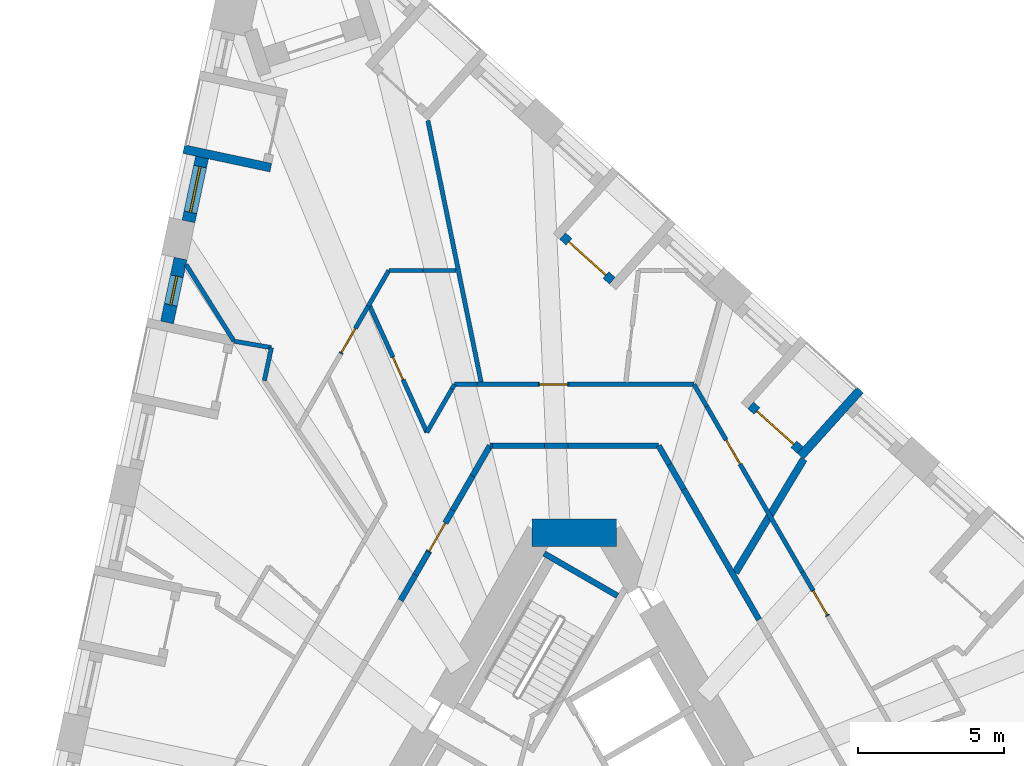
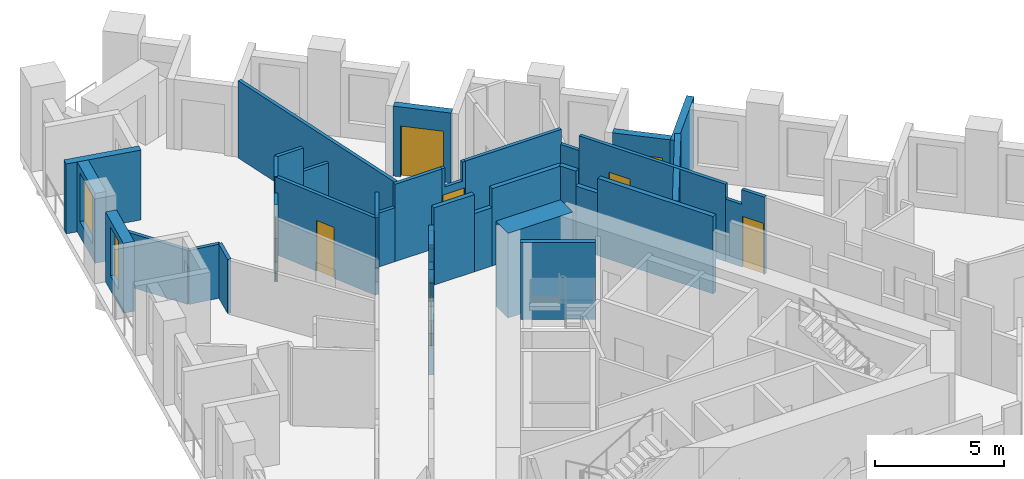
# One storey, part 8 of 13: 39 walls, 8 doors, 2 windows, 10 openings.
"""IFC4 building model written with IfcOpenShell, lengths in metres."""

from ifc_helpers import new_model, si_unit, direction, frame, frame_2d, origin, place, context, subcontext, project, spatial, polyline, rectangle, outline, extrude, material, layer, layer_set, type_object, element, fill, save


model = new_model("IFC4")

# Units and contexts
model_context = context("Model", 3, precision=1e-05, world=origin(), true_north=direction((0.0, 1.0)))
body_context = subcontext(model_context, "Body", "Model", "MODEL_VIEW")
ifc_project = project(units=[si_unit("LENGTHUNIT", "METRE"), si_unit("AREAUNIT", "SQUARE_METRE"), si_unit("VOLUMEUNIT", "CUBIC_METRE"), si_unit("PLANEANGLEUNIT", "RADIAN"), si_unit("MASSUNIT", "GRAM", prefix="KILO")], contexts=[model_context])

# Site, building, storey
site_placement = place(None, origin())
site = spatial("IfcSite", under=ifc_project, at=site_placement, CompositionType="ELEMENT")
building_placement = place(site_placement, origin())
building = spatial("IfcBuilding", under=site, at=building_placement, Name="Tramontana Tower", CompositionType="ELEMENT")
storey_placement = place(building_placement, frame((0.0, 0.0, 108.39990234375)))
storey = spatial("IfcBuildingStorey", under=building, at=storey_placement, Name="L24", CompositionType="ELEMENT", Elevation=108.39990234375)

# Walls
ifc_material_1 = material(Name="Concrete 70 MPa", Category="concrete")
ifc_layer_1 = layer(ifc_material_1, 0.949951171875)
ifc_layer_set_1 = layer_set([ifc_layer_1], Name="Core wall 950 70 MPa")
wall_type_1 = type_object("IfcWallType", Name="Core wall 950 70 MPa", PredefinedType="SHEAR", material=ifc_layer_set_1)
wall_1_placement = place(storey_placement, frame((1.443359375, 10.52490234375, 0.0), z_axis=(0.0, 0.0, 1.0), x_axis=(-1.0, 0.0, 0.0)))
element("IfcWall", 1, at=wall_1_placement, inside=storey, type_object=wall_type_1, Name="Core wall C0 L24", PredefinedType="SHEAR", context=body_context, shape_type="SweptSolid", body=[
    extrude(rectangle(XDim=2.88671875, YDim=0.949951171875, at=frame_2d((1.443359375, 0.0))), origin(), (0.0, 0.0, 1.0), 4.0),
])
ifc_material_2 = material(Name="Blockwork", Category="masonry")
ifc_layer_2 = layer(ifc_material_2, 0.199951171875)
ifc_layer_set_2 = layer_set([ifc_layer_2], Name="ENTRY WALL 200")
wall_type_2 = type_object("IfcWallType", Name="ENTRY WALL 200", PredefinedType="SOLIDWALL", material=ifc_layer_set_2)
wall_2_placement = place(storey_placement, frame((2.88671875, 13.5, 0.0), z_axis=(0.0, 0.0, 1.0), x_axis=(0.499987686533, -0.866032512851, 0.0)))
element("IfcWall", 2, at=wall_2_placement, inside=storey, type_object=wall_type_2, Name="Wall v21-ew0-0", PredefinedType="SOLIDWALL", context=body_context, shape_type="SweptSolid", body=[
    extrude(rectangle(XDim=0.74365234375, YDim=0.199951171875, at=frame_2d((0.371826171875, 0.0))), origin(), (0.0, 0.0, 1.0), 3.650146484375),
])
wall_3_placement = place(storey_placement, frame((3.258544921875, 12.85595703125, 0.0), z_axis=(0.0, 0.0, 1.0), x_axis=(0.500061185694, -0.865990075325, 0.0)))
element("IfcWall", 3, at=wall_3_placement, inside=storey, type_object=wall_type_2, Name="Wall v21-ew0-1", PredefinedType="SOLIDWALL", context=body_context, shape_type="SweptSolid", body=[
    extrude(rectangle(XDim=0.9775390625, YDim=0.199951171875, at=frame_2d((0.48876953125, 0.0))), origin(), (0.0, 0.0, 1.0), 2.9501953125),
])
wall_4_placement = place(storey_placement, frame((3.747314453125, 12.009521484375, 0.0), z_axis=(0.0, 0.0, 1.0), x_axis=(0.500001317485, -0.866024643133, 0.0)))
element("IfcWall", 4, at=wall_4_placement, inside=storey, type_object=wall_type_2, Name="Wall v21-ew0-2", PredefinedType="SOLIDWALL", context=body_context, shape_type="SweptSolid", body=[
    extrude(rectangle(XDim=5.1533203125, YDim=0.199951171875, at=frame_2d((2.57666015625, 0.0))), origin(), (0.0, 0.0, 1.0), 3.650146484375),
])
wall_5_placement = place(storey_placement, frame((-5.944091796875, 8.20458984375, 0.0), z_axis=(0.0, 0.0, 1.0), x_axis=(0.500051323872, 0.865995769906, 0.0)))
element("IfcWall", 5, at=wall_5_placement, inside=storey, type_object=wall_type_2, Name="Wall v21-ew4-7", PredefinedType="SOLIDWALL", context=body_context, shape_type="SweptSolid", body=[
    extrude(rectangle(XDim=1.0068359375, YDim=0.199951171875, at=frame_2d((0.50341796875, 0.0))), origin(), (0.0, 0.0, 1.0), 2.550048828125),
])
wall_6_placement = place(storey_placement, frame((-5.440673828125, 9.076416015625, 0.0), z_axis=(0.0, 0.0, 1.0), x_axis=(0.499902469156, 0.866081705922, 0.0)))
element("IfcWall", 6, at=wall_6_placement, inside=storey, type_object=wall_type_2, Name="Wall v21-ew4-8", PredefinedType="SOLIDWALL", context=body_context, shape_type="SweptSolid", body=[
    extrude(rectangle(XDim=0.900146484375, YDim=0.199951171875, at=frame_2d((0.4501953125, 0.0))), origin(), (0.0, 0.0, 1.0), 3.650146484375),
])

# Wall, opening, door
wall_7_placement = place(storey_placement, frame((-4.99072265625, 9.85595703125, 0.0), z_axis=(0.0, 0.0, 1.0), x_axis=(0.500088396166, 0.865974362219, 0.0)))
wall_7 = element("IfcWall", 7, at=wall_7_placement, inside=storey, type_object=wall_type_2, Name="Wall v21-ew4-9", PredefinedType="SOLIDWALL", context=body_context, shape_type="SweptSolid", body=[
    extrude(outline(polyline([(0.0, 0.0), (1.655517578125, 0.0), (1.655517578125, 2.550048828125), (0.519287109375, 2.550048828125), (0.519287109375, 3.650146484375), (0.0, 3.650146484375), (0.0, 0.0)])), frame((0.0, 0.10009765625, 0.0), z_axis=(0.0, -1.0, 0.0), x_axis=(1.0, 0.0, 0.0)), (0.0, 0.0, 1.0), 0.199951171875),
])
opening_1_placement = place(wall_7_placement, frame((0.050048828125, 0.0, 0.0)))
opening_1 = element("IfcOpeningElement", 8, at=opening_1_placement, cuts=wall_7, Name="Opening B2B-26", PredefinedType="OPENING", context=body_context, shape_type="SweptSolid", body=[
    extrude(rectangle(XDim=1.10009765625, YDim=2.39990234375, at=frame_2d((0.550048828125, 1.199951171875))), frame((0.0, 0.10986328125, 0.0), z_axis=(0.0, -1.0, 0.0), x_axis=(1.0, 0.0, 0.0)), (0.0, 0.0, 1.0), 0.219970703125),
])
ifc_material_3 = material(Name="Painted timber", Category="wood")
door_type_1 = type_object("IfcDoorType", Name="DOOR ENTRY 1100", OperationType="SINGLE_SWING_LEFT", PredefinedType="DOOR", material=ifc_material_3)
door_1_placement = place(opening_1_placement, origin())
door_1 = element("IfcDoor", 9, at=door_1_placement, inside=storey, type_object=door_type_1, Name="Door B2B-26", OperationType="SINGLE_SWING_RIGHT", OverallHeight=2.39990234375, OverallWidth=1.10009765625, PredefinedType="DOOR", context=body_context, shape_type="SweptSolid", body=[
    extrude(rectangle(XDim=1.10009765625, YDim=2.39990234375, at=frame_2d((0.550048828125, 1.199951171875))), frame((0.0, 0.02490234375, 0.0), z_axis=(0.0, -1.0, 0.0), x_axis=(1.0, 0.0, 0.0)), (0.0, 0.0, 1.0), 0.050048828125),
])
fill(opening_1, door_1)

# Walls
wall_8_placement = place(storey_placement, frame((-4.162841796875, 11.28955078125, 0.0), z_axis=(0.0, 0.0, 1.0), x_axis=(0.499903734186, 0.866080975745, 0.0)))
element("IfcWall", 10, at=wall_8_placement, inside=storey, type_object=wall_type_2, Name="Wall v21-ew4-10", PredefinedType="SOLIDWALL", context=body_context, shape_type="SweptSolid", body=[
    extrude(rectangle(XDim=1.360107421875, YDim=0.199951171875, at=frame_2d((0.68017578125, 0.0))), origin(), (0.0, 0.0, 1.0), 3.650146484375),
])
wall_9_placement = place(storey_placement, frame((-3.48291015625, 12.467529296875, 0.0), z_axis=(0.0, 0.0, 1.0), x_axis=(0.500059236744, 0.865991200733, 0.0)))
element("IfcWall", 11, at=wall_9_placement, inside=storey, type_object=wall_type_2, Name="Wall v21-ew4-11", PredefinedType="SOLIDWALL", context=body_context, shape_type="SweptSolid", body=[
    extrude(rectangle(XDim=1.192138671875, YDim=0.199951171875, at=frame_2d((0.59619140625, 0.0))), origin(), (0.0, 0.0, 1.0), 2.550048828125),
])
wall_10_placement = place(storey_placement, frame((-2.88671875, 13.5, 0.0), z_axis=(0.0, 0.0, 1.0), x_axis=(1.0, 0.0, 0.0)))
element("IfcWall", 12, at=wall_10_placement, inside=storey, type_object=wall_type_2, Name="Wall v21-ew5-0", PredefinedType="SOLIDWALL", context=body_context, shape_type="SweptSolid", body=[
    extrude(rectangle(XDim=0.079833984375, YDim=0.199951171875, at=frame_2d((0.0400390625, 0.0))), origin(), (0.0, 0.0, 1.0), 2.550048828125),
])
wall_11_placement = place(storey_placement, frame((-2.806884765625, 13.5, 0.0), z_axis=(0.0, 0.0, 1.0), x_axis=(1.0, 0.0, 0.0)))
element("IfcWall", 13, at=wall_11_placement, inside=storey, type_object=wall_type_2, Name="Wall v21-ew5-1", PredefinedType="SOLIDWALL", context=body_context, shape_type="SweptSolid", body=[
    extrude(rectangle(XDim=1.7880859375, YDim=0.199951171875, at=frame_2d((0.89404296875, 0.0))), origin(), (0.0, 0.0, 1.0), 3.650146484375),
])
wall_12_placement = place(storey_placement, frame((-1.018798828125, 13.5, 0.0), z_axis=(0.0, 0.0, 1.0), x_axis=(1.0, 0.0, 0.0)))
element("IfcWall", 14, at=wall_12_placement, inside=storey, type_object=wall_type_2, Name="Wall v21-ew5-2", PredefinedType="SOLIDWALL", context=body_context, shape_type="SweptSolid", body=[
    extrude(rectangle(XDim=0.80078125, YDim=0.199951171875, at=frame_2d((0.400390625, 0.0))), origin(), (0.0, 0.0, 1.0), 2.75),
])
wall_13_placement = place(storey_placement, frame((-0.218017578125, 13.5, 0.0), z_axis=(0.0, 0.0, 1.0), x_axis=(1.0, 0.0, 0.0)))
element("IfcWall", 15, at=wall_13_placement, inside=storey, type_object=wall_type_2, Name="Wall v21-ew5-3", PredefinedType="SOLIDWALL", context=body_context, shape_type="SweptSolid", body=[
    extrude(rectangle(XDim=3.104736328125, YDim=0.199951171875, at=frame_2d((1.55224609375, 0.0))), origin(), (0.0, 0.0, 1.0), 3.650146484375),
])

# Wall, opening, window
ifc_material_4 = material(Name="Precast concrete 60 MPa", Category="concrete")
ifc_layer_3 = layer(ifc_material_4, 0.449951171875)
ifc_layer_set_3 = layer_set([ifc_layer_3], Name="Precast concrete 60 MPa, 450 mm")
wall_type_3 = type_object("IfcWallType", Name="EW1 Stone-faced precast wall 450", PredefinedType="SOLIDWALL", material=ifc_layer_set_3)
wall_14_placement = place(storey_placement, frame((-12.7451171875, 23.36767578125, 0.0), z_axis=(0.0, 0.0, 1.0), x_axis=(-0.207941001029, -0.978141370197, 0.0)))
wall_14 = element("IfcWall", 16, at=wall_14_placement, inside=storey, type_object=wall_type_3, Name="External wall L24 face 0 bay 1", PredefinedType="SOLIDWALL", context=body_context, shape_type="SweptSolid", body=[
    extrude(rectangle(XDim=2.236572265625, YDim=0.449951171875, at=frame_2d((1.1181640625, 0.0))), origin(), (0.0, 0.0, 1.0), 3.300048828125),
])
opening_2_placement = place(wall_14_placement, frame((0.318359375, 0.0, 0.699951171875)))
opening_2 = element("IfcOpeningElement", 17, at=opening_2_placement, cuts=wall_14, Name="Opening M1", PredefinedType="OPENING", context=body_context, shape_type="SweptSolid", body=[
    extrude(rectangle(XDim=1.60009765625, YDim=2.300048828125, at=frame_2d((0.800048828125, 1.14990234375))), frame((0.0, 0.23486328125, 0.0), z_axis=(0.0, -1.0, 0.0), x_axis=(1.0, 0.0, 0.0)), (0.0, 0.0, 1.0), 0.469970703125),
])
ifc_material_5 = material(Name="Aluminum frame, double glazing unit", Category="aluminium")
window_type_1 = type_object("IfcWindowType", Name="M1 Window 1.6 x 2.3", PartitioningType="SINGLE_PANEL", PredefinedType="WINDOW", material=ifc_material_5)
window_1_placement = place(opening_2_placement, origin())
window_1 = element("IfcWindow", 18, at=window_1_placement, inside=storey, type_object=window_type_1, Name="Window M1 L24 face 0 module 3", OverallHeight=2.300048828125, OverallWidth=1.60009765625, PartitioningType="SINGLE_PANEL", PredefinedType="WINDOW", context=body_context, shape_type="SweptSolid", body=[
    extrude(rectangle(XDim=1.60009765625, YDim=2.300048828125, at=frame_2d((0.800048828125, 1.14990234375))), frame((0.0, 0.030029296875, 0.0), z_axis=(0.0, -1.0, 0.0), x_axis=(1.0, 0.0, 0.0)), (0.0, 0.0, 1.0), 0.06005859375),
])
fill(opening_2, window_1)

wall_15_placement = place(storey_placement, frame((-13.48046875, 19.908203125, 0.0), z_axis=(0.0, 0.0, 1.0), x_axis=(-0.207941001029, -0.978141370197, 0.0)))
wall_15 = element("IfcWall", 19, at=wall_15_placement, inside=storey, type_object=wall_type_3, Name="External wall L24 face 0 bay 2", PredefinedType="SOLIDWALL", context=body_context, shape_type="SweptSolid", body=[
    extrude(rectangle(XDim=2.236572265625, YDim=0.449951171875, at=frame_2d((1.1181640625, 0.0))), origin(), (0.0, 0.0, 1.0), 3.300048828125),
])
opening_3_placement = place(wall_15_placement, frame((0.618408203125, 0.0, 0.699951171875)))
opening_3 = element("IfcOpeningElement", 20, at=opening_3_placement, cuts=wall_15, Name="Opening N1", PredefinedType="OPENING", context=body_context, shape_type="SweptSolid", body=[
    extrude(rectangle(XDim=1.0, YDim=2.300048828125, at=frame_2d((0.5, 1.14990234375))), frame((0.0, 0.23486328125, 0.0), z_axis=(0.0, -1.0, 0.0), x_axis=(1.0, 0.0, 0.0)), (0.0, 0.0, 1.0), 0.469970703125),
])
ifc_material_6 = material(Name="Aluminum frame, double glazing unit", Category="aluminium")
window_type_2 = type_object("IfcWindowType", Name="N1 Window 1 x 2.3", PartitioningType="SINGLE_PANEL", PredefinedType="WINDOW", material=ifc_material_6)
window_2_placement = place(opening_3_placement, origin())
window_2 = element("IfcWindow", 21, at=window_2_placement, inside=storey, type_object=window_type_2, Name="Window N1 L24 face 0 module 4", OverallHeight=2.300048828125, OverallWidth=1.0, PartitioningType="SINGLE_PANEL", PredefinedType="WINDOW", context=body_context, shape_type="SweptSolid", body=[
    extrude(rectangle(XDim=1.0, YDim=2.300048828125, at=frame_2d((0.5, 1.14990234375))), frame((0.0, 0.030029296875, 0.0), z_axis=(0.0, -1.0, 0.0), x_axis=(1.0, 0.0, 0.0)), (0.0, 0.0, 1.0), 0.06005859375),
])
fill(opening_3, window_2)

# Wall
ifc_material_7 = material(Name="Precast concrete 60 MPa", Category="concrete")
ifc_layer_4 = layer(ifc_material_7, 0.300048828125)
ifc_layer_set_4 = layer_set([ifc_layer_4], Name="LW1 Stone-faced loggia wall 300")
wall_type_4 = type_object("IfcWallType", Name="LW1 Stone-faced loggia wall 300", PredefinedType="SOLIDWALL", material=ifc_layer_set_4)
wall_16_placement = place(storey_placement, frame((-13.3740234375, 23.65478515625, 0.0), z_axis=(0.0, 0.0, 1.0), x_axis=(0.978151322619, -0.207894179953, 0.0)))
element("IfcWall", 22, at=wall_16_placement, inside=storey, type_object=wall_type_4, Name="Loggia return L24 G2S0.1b", PredefinedType="SOLIDWALL", context=body_context, shape_type="SweptSolid", body=[
    extrude(rectangle(XDim=3.0498046875, YDim=0.300048828125, at=frame_2d((1.52490234375, 0.0))), origin(), (0.0, 0.0, 1.0), 3.300048828125),
])

# Wall, opening, door
wall_17_placement = place(storey_placement, frame((7.735595703125, 13.353759765625, 0.0), z_axis=(0.0, 0.0, 1.0), x_axis=(-0.743081759278, 0.669200641832, 0.0)))
wall_17 = element("IfcWall", 23, at=wall_17_placement, inside=storey, type_object=wall_type_4, Name="Loggia wall L24 G2S2.10", PredefinedType="SOLIDWALL", context=body_context, shape_type="SweptSolid", body=[
    extrude(rectangle(XDim=2.28662109375, YDim=0.300048828125, at=frame_2d((1.143310546875, 0.0))), origin(), (0.0, 0.0, 1.0), 3.300048828125),
])
opening_4_placement = place(wall_17_placement, frame((0.29345703125, 0.0, 0.0)))
opening_4 = element("IfcOpeningElement", 24, at=opening_4_placement, cuts=wall_17, Name="Opening BD-2S2-10", PredefinedType="OPENING", context=body_context, shape_type="SweptSolid", body=[
    extrude(rectangle(XDim=1.699951171875, YDim=2.39990234375, at=frame_2d((0.85009765625, 1.199951171875))), frame((0.0, 0.159912109375, 0.0), z_axis=(0.0, -1.0, 0.0), x_axis=(1.0, 0.0, 0.0)), (0.0, 0.0, 1.0), 0.320068359375),
])
ifc_material_8 = material(Name="Aluminum frame, double glazing unit", Category="aluminium")
door_type_2 = type_object("IfcDoorType", Name="BD1 Sliding door 1.7 x 2.4", OperationType="SLIDING_TO_LEFT", PredefinedType="DOOR", material=ifc_material_8)
door_2_placement = place(opening_4_placement, origin())
door_2 = element("IfcDoor", 25, at=door_2_placement, inside=storey, type_object=door_type_2, Name="Loggia door L24 G2S2.10", OperationType="SLIDING_TO_LEFT", OverallHeight=2.39990234375, OverallWidth=1.699951171875, PredefinedType="DOOR", context=body_context, shape_type="SweptSolid", body=[
    extrude(rectangle(XDim=1.699951171875, YDim=2.39990234375, at=frame_2d((0.85009765625, 1.199951171875))), frame((0.0, 0.02490234375, 0.0), z_axis=(0.0, -1.0, 0.0), x_axis=(1.0, 0.0, 0.0)), (0.0, 0.0, 1.0), 0.050048828125),
])
fill(opening_4, door_2)

# Wall
wall_18_placement = place(storey_placement, frame((9.78759765625, 15.40869140625, 0.0), z_axis=(0.0, 0.0, 1.0), x_axis=(-0.669115082961, -0.743158802514, 0.0)))
element("IfcWall", 26, at=wall_18_placement, inside=storey, type_object=wall_type_4, Name="Loggia return L24 G2S2.10a", PredefinedType="SOLIDWALL", context=body_context, shape_type="SweptSolid", body=[
    extrude(rectangle(XDim=3.050048828125, YDim=0.300048828125, at=frame_2d((1.52490234375, 0.0))), origin(), (0.0, 0.0, 1.0), 3.300048828125),
])

# Wall, opening, door
wall_19_placement = place(storey_placement, frame((1.2998046875, 19.148681640625, 0.0), z_axis=(0.0, 0.0, 1.0), x_axis=(-0.743182653308, 0.669088591909, 0.0)))
wall_19 = element("IfcWall", 27, at=wall_19_placement, inside=storey, type_object=wall_type_4, Name="Loggia wall L24 G2S2.13", PredefinedType="SOLIDWALL", context=body_context, shape_type="SweptSolid", body=[
    extrude(rectangle(XDim=2.28662109375, YDim=0.300048828125, at=frame_2d((1.143310546875, 0.0))), origin(), (0.0, 0.0, 1.0), 3.300048828125),
])
opening_5_placement = place(wall_19_placement, frame((0.29345703125, 0.0, 0.0)))
opening_5 = element("IfcOpeningElement", 28, at=opening_5_placement, cuts=wall_19, Name="Opening BD-2S2-13", PredefinedType="OPENING", context=body_context, shape_type="SweptSolid", body=[
    extrude(rectangle(XDim=1.699951171875, YDim=2.39990234375, at=frame_2d((0.85009765625, 1.199951171875))), frame((0.0, 0.159912109375, 0.0), z_axis=(0.0, -1.0, 0.0), x_axis=(1.0, 0.0, 0.0)), (0.0, 0.0, 1.0), 0.320068359375),
])
door_3_placement = place(opening_5_placement, origin())
door_3 = element("IfcDoor", 29, at=door_3_placement, inside=storey, type_object=door_type_2, Name="Loggia door L24 G2S2.13", OperationType="SLIDING_TO_LEFT", OverallHeight=2.39990234375, OverallWidth=1.699951171875, PredefinedType="DOOR", context=body_context, shape_type="SweptSolid", body=[
    extrude(rectangle(XDim=1.699951171875, YDim=2.39990234375, at=frame_2d((0.85009765625, 1.199951171875))), frame((0.0, 0.02490234375, 0.0), z_axis=(0.0, -1.0, 0.0), x_axis=(1.0, 0.0, 0.0)), (0.0, 0.0, 1.0), 0.050048828125),
])
fill(opening_5, door_3)

# Walls
ifc_material_9 = material(Name="Gypsum board partition")
ifc_layer_5 = layer(ifc_material_9, 0.14990234375)
ifc_layer_set_5 = layer_set([ifc_layer_5], Name="PARTITION 150")
wall_type_5 = type_object("IfcWallType", Name="PARTITION 150", PredefinedType="PARTITIONING", material=ifc_layer_set_5)
wall_20_placement = place(storey_placement, frame((-11.653564453125, 17.079833984375, 0.0), z_axis=(0.0, 0.0, 1.0), x_axis=(-0.529991848631, 0.848002736072, 0.0)))
element("IfcWall", 30, at=wall_20_placement, inside=storey, type_object=wall_type_5, Name="Wall v21-pw09-0", PredefinedType="PARTITIONING", context=body_context, shape_type="SweptSolid", body=[
    extrude(rectangle(XDim=3.0947265625, YDim=0.14990234375, at=frame_2d((1.54736328125, 0.0))), origin(), (0.0, 0.0, 1.0), 2.550048828125),
])
wall_21_placement = place(storey_placement, frame((-10.611572265625, 15.728515625, 0.0), z_axis=(0.0, 0.0, 1.0), x_axis=(0.207866350726, 0.97815723697, 0.0)))
element("IfcWall", 31, at=wall_21_placement, inside=storey, type_object=wall_type_5, Name="Wall v21-pw13-0", PredefinedType="PARTITIONING", context=body_context, shape_type="SweptSolid", body=[
    extrude(rectangle(XDim=1.1533203125, YDim=0.14990234375, at=frame_2d((0.57666015625, 0.0))), origin(), (0.0, 0.0, 1.0), 2.550048828125),
])
wall_22_placement = place(storey_placement, frame((-10.373291015625, 16.859130859375, 0.0), z_axis=(0.0, 0.0, 1.0), x_axis=(-0.985464455429, 0.169881744414, 0.0)))
element("IfcWall", 32, at=wall_22_placement, inside=storey, type_object=wall_type_5, Name="Wall v21-pw15-0", PredefinedType="PARTITIONING", context=body_context, shape_type="SweptSolid", body=[
    extrude(rectangle(XDim=1.299072265625, YDim=0.14990234375, at=frame_2d((0.6494140625, 0.0))), origin(), (0.0, 0.0, 1.0), 2.550048828125),
])

# Wall, opening, door
wall_23_placement = place(storey_placement, frame((-7.996337890625, 16.64990234375, 0.0), z_axis=(0.0, 0.0, 1.0), x_axis=(0.499962016178, 0.866047332643, 0.0)))
wall_23 = element("IfcWall", 33, at=wall_23_placement, inside=storey, type_object=wall_type_5, Name="Wall v21-pw18-2", PredefinedType="PARTITIONING", context=body_context, shape_type="SweptSolid", body=[
    extrude(outline(polyline([(0.0, 0.0), (1.882080078125, 0.0), (1.8818359375, 2.550048828125), (0.777099609375, 2.550048828125), (0.777099609375, 3.650146484375), (0.0, 3.650146484375), (0.0, 0.0)])), frame((0.0, 0.074951171875, 0.0), z_axis=(0.0, -1.0, 0.0), x_axis=(1.0, 0.0, 0.0)), (0.0, 0.0, 1.0), 0.14990234375),
])
opening_6_placement = place(wall_23_placement, frame((0.050048828125, 0.0, 0.0)))
opening_6 = element("IfcOpeningElement", 34, at=opening_6_placement, cuts=wall_23, Name="Opening B2B-03", PredefinedType="OPENING", context=body_context, shape_type="SweptSolid", body=[
    extrude(rectangle(XDim=0.949951171875, YDim=2.39990234375, at=frame_2d((0.47509765625, 1.199951171875))), frame((0.0, 0.0849609375, 0.0), z_axis=(0.0, -1.0, 0.0), x_axis=(1.0, 0.0, 0.0)), (0.0, 0.0, 1.0), 0.169921875),
])
ifc_material_10 = material(Name="Painted timber", Category="wood")
door_type_3 = type_object("IfcDoorType", Name="DOOR ROOM 950", OperationType="SINGLE_SWING_LEFT", PredefinedType="DOOR", material=ifc_material_10)
door_4_placement = place(opening_6_placement, origin())
door_4 = element("IfcDoor", 35, at=door_4_placement, inside=storey, type_object=door_type_3, Name="Door B2B-03", OperationType="SINGLE_SWING_LEFT", OverallHeight=2.39990234375, OverallWidth=0.949951171875, PredefinedType="DOOR", context=body_context, shape_type="SweptSolid", body=[
    extrude(rectangle(XDim=0.949951171875, YDim=2.39990234375, at=frame_2d((0.47509765625, 1.199951171875))), frame((0.0, 0.02490234375, 0.0), z_axis=(0.0, -1.0, 0.0), x_axis=(1.0, 0.0, 0.0)), (0.0, 0.0, 1.0), 0.050048828125),
])
fill(opening_6, door_4)

# Wall
wall_24_placement = place(storey_placement, frame((-7.055419921875, 18.27978515625, 0.0), z_axis=(0.0, 0.0, 1.0), x_axis=(0.500052415518, 0.865995139556, 0.0)))
element("IfcWall", 36, at=wall_24_placement, inside=storey, type_object=wall_type_5, Name="Wall v21-pw18-3", PredefinedType="PARTITIONING", context=body_context, shape_type="SweptSolid", body=[
    extrude(rectangle(XDim=1.408935546875, YDim=0.14990234375, at=frame_2d((0.70458984375, 0.0))), origin(), (0.0, 0.0, 1.0), 3.650146484375),
])

# Wall, opening, door
wall_25_placement = place(storey_placement, frame((-7.02392578125, 18.328125, 0.0), z_axis=(0.0, 0.0, 1.0), x_axis=(0.41197154639, -0.911196710357, 0.0)))
wall_25 = element("IfcWall", 37, at=wall_25_placement, inside=storey, type_object=wall_type_5, Name="Wall v21-pw24", PredefinedType="PARTITIONING", context=body_context, shape_type="SweptSolid", body=[
    extrude(rectangle(XDim=4.79296875, YDim=0.14990234375, at=frame_2d((2.396484375, 0.0))), origin(), (0.0, 0.0, 1.0), 3.650146484375),
])
opening_7_placement = place(wall_25_placement, frame((1.9716796875, 0.0, 0.0)))
opening_7 = element("IfcOpeningElement", 38, at=opening_7_placement, cuts=wall_25, Name="Opening B2B-02", PredefinedType="OPENING", context=body_context, shape_type="SweptSolid", body=[
    extrude(rectangle(XDim=0.85009765625, YDim=2.39990234375, at=frame_2d((0.425048828125, 1.199951171875))), frame((0.0, 0.0849609375, 0.0), z_axis=(0.0, -1.0, 0.0), x_axis=(1.0, 0.0, 0.0)), (0.0, 0.0, 1.0), 0.169921875),
])
ifc_material_11 = material(Name="Painted timber", Category="wood")
door_type_4 = type_object("IfcDoorType", Name="DOOR BATH 850", OperationType="SINGLE_SWING_LEFT", PredefinedType="DOOR", material=ifc_material_11)
door_5_placement = place(opening_7_placement, origin())
door_5 = element("IfcDoor", 39, at=door_5_placement, inside=storey, type_object=door_type_4, Name="Door B2B-02", OperationType="SINGLE_SWING_RIGHT", OverallHeight=2.39990234375, OverallWidth=0.85009765625, PredefinedType="DOOR", context=body_context, shape_type="SweptSolid", body=[
    extrude(rectangle(XDim=0.85009765625, YDim=2.39990234375, at=frame_2d((0.425048828125, 1.199951171875))), frame((0.0, 0.02490234375, 0.0), z_axis=(0.0, -1.0, 0.0), x_axis=(1.0, 0.0, 0.0)), (0.0, 0.0, 1.0), 0.050048828125),
])
fill(opening_7, door_5)

# Walls
wall_26_placement = place(storey_placement, frame((-6.350830078125, 19.5, 0.0), z_axis=(0.0, 0.0, 1.0), x_axis=(1.0, 0.0, 0.0)))
element("IfcWall", 40, at=wall_26_placement, inside=storey, type_object=wall_type_5, Name="Wall v21-pw27-0", PredefinedType="PARTITIONING", context=body_context, shape_type="SweptSolid", body=[
    extrude(rectangle(XDim=1.177490234375, YDim=0.14990234375, at=frame_2d((0.5888671875, 0.0))), origin(), (0.0, 0.0, 1.0), 3.650146484375),
])
wall_27_placement = place(storey_placement, frame((-5.17333984375, 19.5, 0.0), z_axis=(0.0, 0.0, 1.0), x_axis=(1.0, 0.0, 0.0)))
element("IfcWall", 41, at=wall_27_placement, inside=storey, type_object=wall_type_5, Name="Wall v21-pw27-1", PredefinedType="PARTITIONING", context=body_context, shape_type="SweptSolid", body=[
    extrude(rectangle(XDim=1.127685546875, YDim=0.14990234375, at=frame_2d((0.56396484375, 0.0))), origin(), (0.0, 0.0, 1.0), 2.550048828125),
])
wall_28_placement = place(storey_placement, frame((-5.0458984375, 13.96044921875, 0.0), z_axis=(0.0, 0.0, 1.0), x_axis=(0.500068347527, 0.865985939725, 0.0)))
element("IfcWall", 42, at=wall_28_placement, inside=storey, type_object=wall_type_5, Name="Wall v21-pw29-0", PredefinedType="PARTITIONING", context=body_context, shape_type="SweptSolid", body=[
    extrude(rectangle(XDim=1.710693359375, YDim=0.14990234375, at=frame_2d((0.85546875, 0.0))), origin(), (0.0, 0.0, 1.0), 3.650146484375),
])
wall_29_placement = place(storey_placement, frame((-4.1904296875, 15.44189453125, 0.0), z_axis=(0.0, 0.0, 1.0), x_axis=(0.50045593687, 0.865762008436, 0.0)))
element("IfcWall", 43, at=wall_29_placement, inside=storey, type_object=wall_type_5, Name="Wall v21-pw29-1", PredefinedType="PARTITIONING", context=body_context, shape_type="SweptSolid", body=[
    extrude(rectangle(XDim=0.182373046875, YDim=0.14990234375, at=frame_2d((0.09130859375, 0.0))), origin(), (0.0, 0.0, 1.0), 2.550048828125),
])
wall_30_placement = place(storey_placement, frame((-5.013427734375, 24.63134765625, 0.0), z_axis=(0.0, 0.0, 1.0), x_axis=(0.199453921503, -0.979907206422, 0.0)))
element("IfcWall", 44, at=wall_30_placement, inside=storey, type_object=wall_type_5, Name="Wall v21-pw30", PredefinedType="PARTITIONING", context=body_context, shape_type="SweptSolid", body=[
    extrude(rectangle(XDim=9.139892578125, YDim=0.14990234375, at=frame_2d((4.56982421875, 0.0))), origin(), (0.0, 0.0, 1.0), 3.650146484375),
])
wall_31_placement = place(storey_placement, frame((-4.09912109375, 15.60009765625, 0.0), z_axis=(0.0, 0.0, 1.0), x_axis=(1.0, 0.0, 0.0)))
element("IfcWall", 45, at=wall_31_placement, inside=storey, type_object=wall_type_5, Name="Wall v21-pw31-0", PredefinedType="PARTITIONING", context=body_context, shape_type="SweptSolid", body=[
    extrude(rectangle(XDim=0.770751953125, YDim=0.14990234375, at=frame_2d((0.38525390625, 0.0))), origin(), (0.0, 0.0, 1.0), 2.550048828125),
])
wall_32_placement = place(storey_placement, frame((-3.328369140625, 15.60009765625, 0.0), z_axis=(0.0, 0.0, 1.0), x_axis=(1.0, 0.0, 0.0)))
element("IfcWall", 46, at=wall_32_placement, inside=storey, type_object=wall_type_5, Name="Wall v21-pw31-1", PredefinedType="PARTITIONING", context=body_context, shape_type="SweptSolid", body=[
    extrude(rectangle(XDim=2.09423828125, YDim=0.14990234375, at=frame_2d((1.047119140625, 0.0))), origin(), (0.0, 0.0, 1.0), 3.650146484375),
])

# Wall, opening, door
wall_33_placement = place(storey_placement, frame((-1.234130859375, 15.60009765625, 0.0), z_axis=(0.0, 0.0, 1.0), x_axis=(1.0, 0.0, 0.0)))
wall_33 = element("IfcWall", 47, at=wall_33_placement, inside=storey, type_object=wall_type_5, Name="Wall v21-pw31-2", PredefinedType="PARTITIONING", context=body_context, shape_type="SweptSolid", body=[
    extrude(outline(polyline([(0.0, 0.0), (1.050048828125, 0.0), (1.050048828125, 3.650146484375), (0.907470703125, 3.650146484375), (0.907470703125, 2.75), (0.131591796875, 2.75), (0.131591796875, 3.650146484375), (0.0, 3.650146484375), (0.0, 0.0)])), frame((0.0, 0.074951171875, 0.0), z_axis=(0.0, -1.0, 0.0), x_axis=(1.0, 0.0, 0.0)), (0.0, 0.0, 1.0), 0.14990234375),
])
opening_8_placement = place(wall_33_placement, frame((0.050048828125, 0.0, 0.0)))
opening_8 = element("IfcOpeningElement", 48, at=opening_8_placement, cuts=wall_33, Name="Opening B2B-04", PredefinedType="OPENING", context=body_context, shape_type="SweptSolid", body=[
    extrude(rectangle(XDim=0.949951171875, YDim=2.39990234375, at=frame_2d((0.47509765625, 1.199951171875))), frame((0.0, 0.0849609375, 0.0), z_axis=(0.0, -1.0, 0.0), x_axis=(1.0, 0.0, 0.0)), (0.0, 0.0, 1.0), 0.169921875),
])
door_6_placement = place(opening_8_placement, origin())
door_6 = element("IfcDoor", 49, at=door_6_placement, inside=storey, type_object=door_type_3, Name="Door B2B-04", OperationType="SINGLE_SWING_RIGHT", OverallHeight=2.39990234375, OverallWidth=0.949951171875, PredefinedType="DOOR", context=body_context, shape_type="SweptSolid", body=[
    extrude(rectangle(XDim=0.949951171875, YDim=2.39990234375, at=frame_2d((0.47509765625, 1.199951171875))), frame((0.0, 0.02490234375, 0.0), z_axis=(0.0, -1.0, 0.0), x_axis=(1.0, 0.0, 0.0)), (0.0, 0.0, 1.0), 0.050048828125),
])
fill(opening_8, door_6)

# Walls
wall_34_placement = place(storey_placement, frame((-0.18408203125, 15.60009765625, 0.0), z_axis=(0.0, 0.0, 1.0), x_axis=(1.0, 0.0, 0.0)))
element("IfcWall", 50, at=wall_34_placement, inside=storey, type_object=wall_type_5, Name="Wall v21-pw31-3", PredefinedType="PARTITIONING", context=body_context, shape_type="SweptSolid", body=[
    extrude(rectangle(XDim=4.283203125, YDim=0.14990234375, at=frame_2d((2.1416015625, 0.0))), origin(), (0.0, 0.0, 1.0), 3.650146484375),
])
wall_35_placement = place(storey_placement, frame((4.09912109375, 15.599853515625, 0.0), z_axis=(0.0, 0.0, 1.0), x_axis=(0.500216765549, -0.86590021796, 0.0)))
element("IfcWall", 51, at=wall_35_placement, inside=storey, type_object=wall_type_5, Name="Wall v21-pw40-0", PredefinedType="PARTITIONING", context=body_context, shape_type="SweptSolid", body=[
    extrude(rectangle(XDim=0.869140625, YDim=0.14990234375, at=frame_2d((0.4345703125, 0.0))), origin(), (0.0, 0.0, 1.0), 2.9501953125),
])

# Wall, opening, door
wall_36_placement = place(storey_placement, frame((4.533935546875, 14.84716796875, 0.0), z_axis=(0.0, 0.0, 1.0), x_axis=(0.499992467015, -0.866029752912, 0.0)))
wall_36 = element("IfcWall", 52, at=wall_36_placement, inside=storey, type_object=wall_type_5, Name="Wall v21-pw40-1", PredefinedType="PARTITIONING", context=body_context, shape_type="SweptSolid", body=[
    extrude(rectangle(XDim=6.54833984375, YDim=0.14990234375, at=frame_2d((3.274169921875, 0.0))), origin(), (0.0, 0.0, 1.0), 3.650146484375),
])
opening_9_placement = place(wall_36_placement, frame((1.330810546875, 0.0, 0.0)))
opening_9 = element("IfcOpeningElement", 53, at=opening_9_placement, cuts=wall_36, Name="Opening B2B-05", PredefinedType="OPENING", context=body_context, shape_type="SweptSolid", body=[
    extrude(rectangle(XDim=0.949951171875, YDim=2.39990234375, at=frame_2d((0.47509765625, 1.199951171875))), frame((0.0, 0.0849609375, 0.0), z_axis=(0.0, -1.0, 0.0), x_axis=(1.0, 0.0, 0.0)), (0.0, 0.0, 1.0), 0.169921875),
])
door_7_placement = place(opening_9_placement, origin())
door_7 = element("IfcDoor", 54, at=door_7_placement, inside=storey, type_object=door_type_3, Name="Door B2B-05", OperationType="SINGLE_SWING_LEFT", OverallHeight=2.39990234375, OverallWidth=0.949951171875, PredefinedType="DOOR", context=body_context, shape_type="SweptSolid", body=[
    extrude(rectangle(XDim=0.949951171875, YDim=2.39990234375, at=frame_2d((0.47509765625, 1.199951171875))), frame((0.0, 0.02490234375, 0.0), z_axis=(0.0, -1.0, 0.0), x_axis=(1.0, 0.0, 0.0)), (0.0, 0.0, 1.0), 0.050048828125),
])
fill(opening_9, door_7)

wall_37_placement = place(storey_placement, frame((7.80810546875, 9.176025390625, 0.0), z_axis=(0.0, 0.0, 1.0), x_axis=(0.500013671143, -0.866017510603, 0.0)))
wall_37 = element("IfcWall", 55, at=wall_37_placement, inside=storey, type_object=wall_type_5, Name="Wall v21-pw40-2", PredefinedType="PARTITIONING", context=body_context, shape_type="SweptSolid", body=[
    extrude(outline(polyline([(0.0, 0.0), (1.74169921875, 0.0), (1.74169921875, 3.650146484375), (0.709716796875, 3.650146484375), (0.709716796875, 2.9501953125), (0.0, 2.9501953125), (0.0, 0.0)])), frame((0.0, 0.074951171875, 0.0), z_axis=(0.0, -1.0, 0.0), x_axis=(1.0, 0.0, 0.0)), (0.0, 0.0, 1.0), 0.14990234375),
])
opening_10_placement = place(wall_37_placement, frame((0.74169921875, 0.0, 0.0)))
opening_10 = element("IfcOpeningElement", 56, at=opening_10_placement, cuts=wall_37, Name="Opening B2B-23", PredefinedType="OPENING", context=body_context, shape_type="SweptSolid", body=[
    extrude(rectangle(XDim=0.949951171875, YDim=2.39990234375, at=frame_2d((0.47509765625, 1.199951171875))), frame((0.0, 0.0849609375, 0.0), z_axis=(0.0, -1.0, 0.0), x_axis=(1.0, 0.0, 0.0)), (0.0, 0.0, 1.0), 0.169921875),
])
door_8_placement = place(opening_10_placement, origin())
door_8 = element("IfcDoor", 57, at=door_8_placement, inside=storey, type_object=door_type_3, Name="Door B2B-23", OperationType="SINGLE_SWING_LEFT", OverallHeight=2.39990234375, OverallWidth=0.949951171875, PredefinedType="DOOR", context=body_context, shape_type="SweptSolid", body=[
    extrude(rectangle(XDim=0.949951171875, YDim=2.39990234375, at=frame_2d((0.47509765625, 1.199951171875))), frame((0.0, 0.02490234375, 0.0), z_axis=(0.0, -1.0, 0.0), x_axis=(1.0, 0.0, 0.0)), (0.0, 0.0, 1.0), 0.050048828125),
])
fill(opening_10, door_8)

# Walls
ifc_material_12 = material(Name="Blockwork", Category="masonry")
ifc_layer_6 = layer(ifc_material_12, 0.25)
ifc_layer_set_6 = layer_set([ifc_layer_6], Name="PARTY WALL 250")
wall_type_6 = type_object("IfcWallType", Name="PARTY WALL 250", PredefinedType="SOLIDWALL", material=ifc_layer_set_6)
wall_38_placement = place(storey_placement, frame((7.858154296875, 13.04150390625, 0.0), z_axis=(0.0, 0.0, 1.0), x_axis=(-0.516122846291, -0.856514569366, 0.0)))
element("IfcWall", 58, at=wall_38_placement, inside=storey, type_object=wall_type_6, Name="Wall v21-pw42", PredefinedType="SOLIDWALL", context=body_context, shape_type="SweptSolid", body=[
    extrude(rectangle(XDim=4.54296875, YDim=0.25, at=frame_2d((2.271484375, 0.0))), origin(), (0.0, 0.0, 1.0), 3.650146484375),
])
ifc_material_13 = material(Name="Concrete 70 MPa", Category="concrete")
ifc_layer_7 = layer(ifc_material_13, 0.199951171875)
ifc_layer_set_7 = layer_set([ifc_layer_7], Name="Concrete 70 MPa, 200 mm")
wall_type_7 = type_object("IfcWallType", Name="RC STAIR AND SHAFT WALL 200", PredefinedType="SOLIDWALL", material=ifc_layer_set_7)
wall_39_placement = place(storey_placement, frame((1.478515625, 8.36083984375, 0.0), z_axis=(0.0, 0.0, 1.0), x_axis=(-0.866032775405, 0.499987231761, 0.0)))
element("IfcWall", 59, at=wall_39_placement, inside=storey, type_object=wall_type_7, Name="Wall st1-far", PredefinedType="SOLIDWALL", context=body_context, shape_type="SweptSolid", body=[
    extrude(rectangle(XDim=2.89990234375, YDim=0.199951171875, at=frame_2d((1.449951171875, 0.0))), origin(), (0.0, 0.0, 1.0), 3.650146484375),
])

save(model, "model.ifc")
